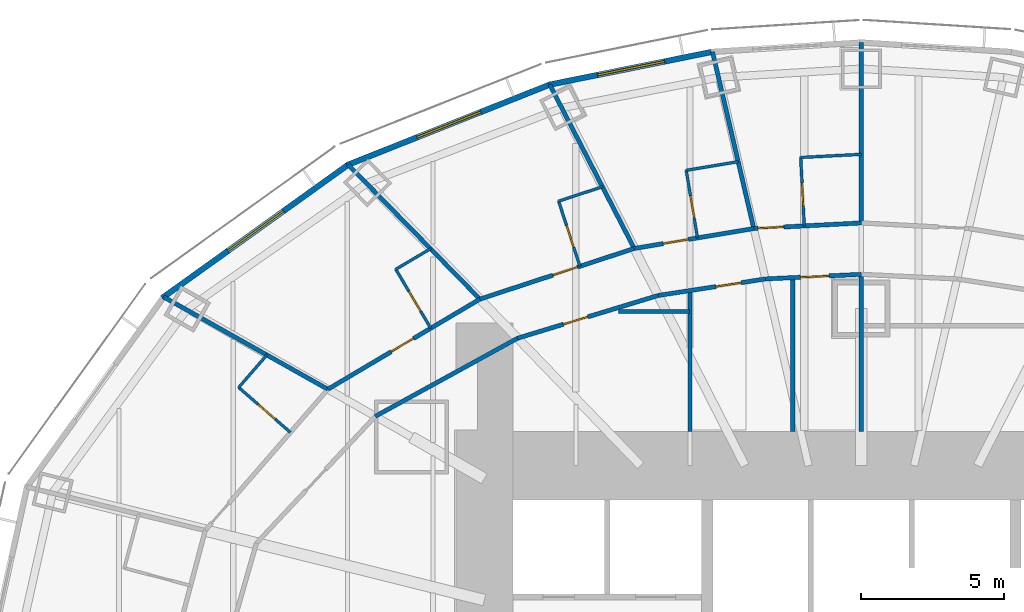
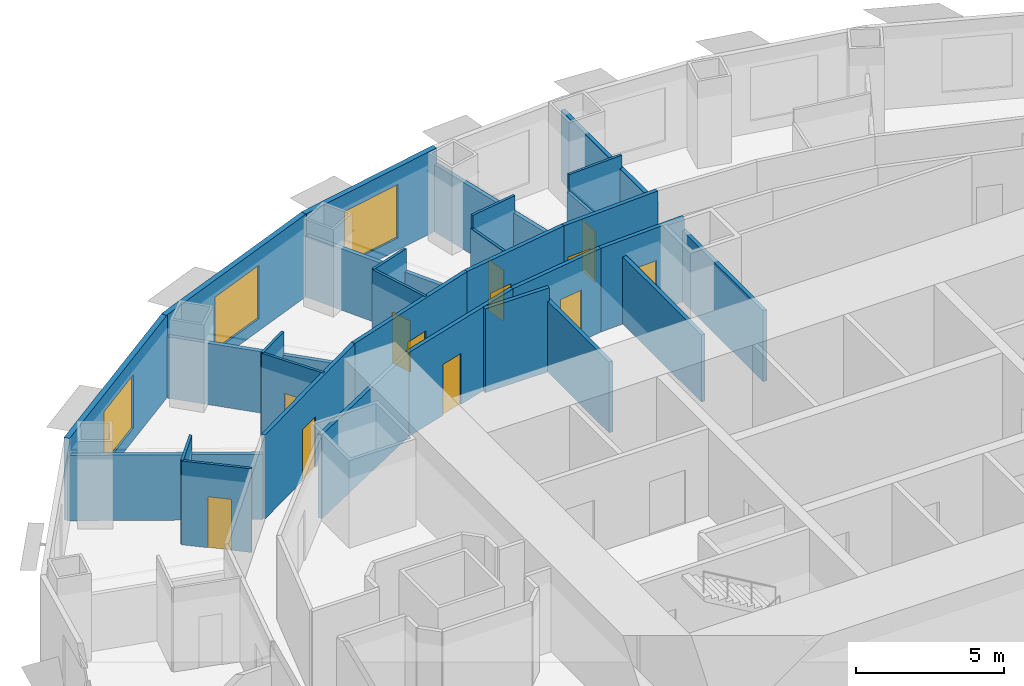
# One storey, part 9 of 15: 30 walls, 12 doors, 3 windows, 15 openings.
"""IFC4 building model written with IfcOpenShell, lengths in metres."""

from ifc_helpers import new_model, si_unit, direction, frame, frame_2d, origin, place, context, subcontext, project, spatial, rectangle, extrude, material, layer, layer_set, type_object, element, fill, save


model = new_model("IFC4")

# Units and contexts
model_context = context("Model", 3, precision=1e-05, world=origin(), true_north=direction((0.0, 1.0)))
body_context = subcontext(model_context, "Body", "Model", "MODEL_VIEW")
ifc_project = project(units=[si_unit("LENGTHUNIT", "METRE"), si_unit("AREAUNIT", "SQUARE_METRE"), si_unit("VOLUMEUNIT", "CUBIC_METRE"), si_unit("PLANEANGLEUNIT", "RADIAN"), si_unit("MASSUNIT", "GRAM", prefix="KILO")], contexts=[model_context])

# Site, building, storey
site_placement = place(None, origin())
site = spatial("IfcSite", under=ifc_project, at=site_placement, CompositionType="ELEMENT")
building_placement = place(site_placement, origin())
building = spatial("IfcBuilding", under=site, at=building_placement, Name="Lantaw Convention Tower", CompositionType="ELEMENT")
storey_placement = place(building_placement, frame((0.0, 0.0, 65.800048828125)))
storey = spatial("IfcBuildingStorey", under=building, at=storey_placement, Name="L14", CompositionType="ELEMENT", Elevation=65.800048828125)

# Walls
ifc_material_1 = material(Name="Gypsum board on steel studs", Category="steel")
ifc_layer_1 = layer(ifc_material_1, 0.14990234375)
ifc_layer_set_1 = layer_set([ifc_layer_1], Name="Back of house wall 150")
wall_type_1 = type_object("IfcWallType", Name="Back of house wall 150", PredefinedType="PARTITIONING", material=ifc_layer_set_1)
wall_1_placement = place(storey_placement, frame((0.0, 9.199951171875, 0.0), z_axis=(0.0, 0.0, 1.0), x_axis=(0.0, 1.0, 0.0)))
element("IfcWall", 1, at=wall_1_placement, inside=storey, type_object=wall_type_1, Name="Back of house wall 150", PredefinedType="PARTITIONING", context=body_context, shape_type="SweptSolid", body=[
    extrude(rectangle(XDim=5.5, YDim=0.14990234375, at=frame_2d((2.75, 0.0))), origin(), (0.0, 0.0, 1.0), 2.924072265625),
])
wall_2_placement = place(storey_placement, frame((-6.010009765625, 13.39990234375, 0.0), z_axis=(0.0, 0.0, 1.0), x_axis=(-1.0, 0.0, 0.0)))
element("IfcWall", 2, at=wall_2_placement, inside=storey, type_object=wall_type_1, Name="Back of house wall 150", PredefinedType="PARTITIONING", context=body_context, shape_type="SweptSolid", body=[
    extrude(rectangle(XDim=2.49755859375, YDim=0.14990234375, at=frame_2d((1.248779296875, 0.0))), origin(), (0.0, 0.0, 1.0), 3.449951171875),
])

# Wall, opening, door
ifc_material_2 = material(Name="Moisture resistant gypsum board on steel studs", Category="steel")
ifc_layer_2 = layer(ifc_material_2, 0.10009765625)
ifc_layer_set_2 = layer_set([ifc_layer_2], Name="Bathroom wall 100")
wall_type_2 = type_object("IfcWallType", Name="Bathroom wall 100", PredefinedType="PARTITIONING", material=ifc_layer_set_2)
wall_3_placement = place(storey_placement, frame((-1.997314453125, 16.39599609375, 0.0), z_axis=(0.0, 0.0, 1.0), x_axis=(-0.051982187452, 0.998648012158, 0.0)))
wall_3 = element("IfcWall", 3, at=wall_3_placement, inside=storey, type_object=wall_type_2, Name="Bathroom wall 100", PredefinedType="PARTITIONING", context=body_context, shape_type="SweptSolid", body=[
    extrude(rectangle(XDim=2.39990234375, YDim=0.10009765625, at=frame_2d((1.199951171875, 0.0))), origin(), (0.0, 0.0, 1.0), 2.7490234375),
])
opening_1_placement = place(wall_3_placement, frame((0.699951171875, 0.0, 0.0)))
opening_1 = element("IfcOpeningElement", 4, at=opening_1_placement, cuts=wall_3, Name="Opening L14.32", PredefinedType="OPENING", context=body_context, shape_type="SweptSolid", body=[
    extrude(rectangle(XDim=0.800048828125, YDim=2.10009765625, at=frame_2d((0.39990234375, 1.050048828125))), frame((0.0, 0.06005859375, 0.0), z_axis=(0.0, -1.0, 0.0), x_axis=(1.0, 0.0, 0.0)), (0.0, 0.0, 1.0), 0.1201171875),
])
ifc_material_3 = material(Name="Timber", Category="wood")
door_type_1 = type_object("IfcDoorType", Name="Bathroom door 800", OperationType="SINGLE_SWING_LEFT", PredefinedType="DOOR", material=ifc_material_3)
door_1_placement = place(opening_1_placement, origin())
door_1 = element("IfcDoor", 5, at=door_1_placement, inside=storey, type_object=door_type_1, Name="Bathroom door", OperationType="SINGLE_SWING_LEFT", OverallHeight=2.10009765625, OverallWidth=0.800048828125, PredefinedType="DOOR", context=body_context, shape_type="SweptSolid", body=[
    extrude(rectangle(XDim=0.800048828125, YDim=2.10009765625, at=frame_2d((0.39990234375, 1.050048828125))), frame((0.0, 0.02490234375, 0.0), z_axis=(0.0, -1.0, 0.0), x_axis=(1.0, 0.0, 0.0)), (0.0, 0.0, 1.0), 0.050048828125),
])
fill(opening_1, door_1)

# Wall
wall_4_placement = place(storey_placement, frame((-2.1220703125, 18.792724609375, 0.0), z_axis=(0.0, 0.0, 1.0), x_axis=(0.998644675281, 0.052046253785, 0.0)))
element("IfcWall", 6, at=wall_4_placement, inside=storey, type_object=wall_type_2, Name="Bathroom wall 100", PredefinedType="PARTITIONING", context=body_context, shape_type="SweptSolid", body=[
    extrude(rectangle(XDim=2.125, YDim=0.10009765625, at=frame_2d((1.0625, 0.0))), origin(), (0.0, 0.0, 1.0), 3.449951171875),
])

# Wall, opening, door
wall_5_placement = place(storey_placement, frame((-5.73681640625, 15.9755859375, 0.0), z_axis=(0.0, 0.0, 1.0), x_axis=(-0.164283516215, 0.986413162067, 0.0)))
wall_5 = element("IfcWall", 7, at=wall_5_placement, inside=storey, type_object=wall_type_2, Name="Bathroom wall 100", PredefinedType="PARTITIONING", context=body_context, shape_type="SweptSolid", body=[
    extrude(rectangle(XDim=2.400146484375, YDim=0.10009765625, at=frame_2d((1.2001953125, 0.0))), origin(), (0.0, 0.0, 1.0), 2.9140625),
])
opening_2_placement = place(wall_5_placement, frame((0.699951171875, 0.0, 0.0)))
opening_2 = element("IfcOpeningElement", 8, at=opening_2_placement, cuts=wall_5, Name="Opening L14.34", PredefinedType="OPENING", context=body_context, shape_type="SweptSolid", body=[
    extrude(rectangle(XDim=0.800048828125, YDim=2.10009765625, at=frame_2d((0.39990234375, 1.050048828125))), frame((0.0, 0.06005859375, 0.0), z_axis=(0.0, -1.0, 0.0), x_axis=(1.0, 0.0, 0.0)), (0.0, 0.0, 1.0), 0.1201171875),
])
door_2_placement = place(opening_2_placement, origin())
door_2 = element("IfcDoor", 9, at=door_2_placement, inside=storey, type_object=door_type_1, Name="Bathroom door", OperationType="SINGLE_SWING_LEFT", OverallHeight=2.10009765625, OverallWidth=0.800048828125, PredefinedType="DOOR", context=body_context, shape_type="SweptSolid", body=[
    extrude(rectangle(XDim=0.800048828125, YDim=2.10009765625, at=frame_2d((0.39990234375, 1.050048828125))), frame((0.0, 0.02490234375, 0.0), z_axis=(0.0, -1.0, 0.0), x_axis=(1.0, 0.0, 0.0)), (0.0, 0.0, 1.0), 0.050048828125),
])
fill(opening_2, door_2)

# Wall
wall_6_placement = place(storey_placement, frame((-6.131103515625, 18.343017578125, 0.0), z_axis=(0.0, 0.0, 1.0), x_axis=(0.986429542706, 0.164185131106, 0.0)))
element("IfcWall", 10, at=wall_6_placement, inside=storey, type_object=wall_type_2, Name="Bathroom wall 100", PredefinedType="PARTITIONING", context=body_context, shape_type="SweptSolid", body=[
    extrude(rectangle(XDim=1.851318359375, YDim=0.10009765625, at=frame_2d((0.92578125, 0.0))), origin(), (0.0, 0.0, 1.0), 3.449951171875),
])

# Wall, opening, door
wall_7_placement = place(storey_placement, frame((-9.852294921875, 14.98291015625, 0.0), z_axis=(0.0, 0.0, 1.0), x_axis=(-0.311890952591, 0.950117905153, 0.0)))
wall_7 = element("IfcWall", 11, at=wall_7_placement, inside=storey, type_object=wall_type_2, Name="Bathroom wall 100", PredefinedType="PARTITIONING", context=body_context, shape_type="SweptSolid", body=[
    extrude(rectangle(XDim=2.39990234375, YDim=0.10009765625, at=frame_2d((1.199951171875, 0.0))), origin(), (0.0, 0.0, 1.0), 3.449951171875),
])
opening_3_placement = place(wall_7_placement, frame((0.699951171875, 0.0, 0.0)))
opening_3 = element("IfcOpeningElement", 12, at=opening_3_placement, cuts=wall_7, Name="Opening L14.36", PredefinedType="OPENING", context=body_context, shape_type="SweptSolid", body=[
    extrude(rectangle(XDim=0.800048828125, YDim=2.10009765625, at=frame_2d((0.39990234375, 1.050048828125))), frame((0.0, 0.06005859375, 0.0), z_axis=(0.0, -1.0, 0.0), x_axis=(1.0, 0.0, 0.0)), (0.0, 0.0, 1.0), 0.1201171875),
])
door_3_placement = place(opening_3_placement, origin())
door_3 = element("IfcDoor", 13, at=door_3_placement, inside=storey, type_object=door_type_1, Name="Bathroom door", OperationType="SINGLE_SWING_LEFT", OverallHeight=2.10009765625, OverallWidth=0.800048828125, PredefinedType="DOOR", context=body_context, shape_type="SweptSolid", body=[
    extrude(rectangle(XDim=0.800048828125, YDim=2.10009765625, at=frame_2d((0.39990234375, 1.050048828125))), frame((0.0, 0.02490234375, 0.0), z_axis=(0.0, -1.0, 0.0), x_axis=(1.0, 0.0, 0.0)), (0.0, 0.0, 1.0), 0.050048828125),
])
fill(opening_3, door_3)

# Wall
wall_8_placement = place(storey_placement, frame((-10.600830078125, 17.26318359375, 0.0), z_axis=(0.0, 0.0, 1.0), x_axis=(0.950113706819, 0.311903741746, 0.0)))
element("IfcWall", 14, at=wall_8_placement, inside=storey, type_object=wall_type_2, Name="Bathroom wall 100", PredefinedType="PARTITIONING", context=body_context, shape_type="SweptSolid", body=[
    extrude(rectangle(XDim=1.62744140625, YDim=0.10009765625, at=frame_2d((0.813720703125, 0.0))), origin(), (0.0, 0.0, 1.0), 3.449951171875),
])

# Wall, opening, door
wall_9_placement = place(storey_placement, frame((-15.07763671875, 12.81201171875, 0.0), z_axis=(0.0, 0.0, 1.0), x_axis=(-0.510075642074, 0.860129548012, 0.0)))
wall_9 = element("IfcWall", 15, at=wall_9_placement, inside=storey, type_object=wall_type_2, Name="Bathroom wall 100", PredefinedType="PARTITIONING", context=body_context, shape_type="SweptSolid", body=[
    extrude(rectangle(XDim=2.39990234375, YDim=0.10009765625, at=frame_2d((1.199951171875, 0.0))), origin(), (0.0, 0.0, 1.0), 3.449951171875),
])
opening_4_placement = place(wall_9_placement, frame((0.699951171875, 0.0, 0.0)))
opening_4 = element("IfcOpeningElement", 16, at=opening_4_placement, cuts=wall_9, Name="Opening L14.38", PredefinedType="OPENING", context=body_context, shape_type="SweptSolid", body=[
    extrude(rectangle(XDim=0.800048828125, YDim=2.10009765625, at=frame_2d((0.39990234375, 1.050048828125))), frame((0.0, 0.06005859375, 0.0), z_axis=(0.0, -1.0, 0.0), x_axis=(1.0, 0.0, 0.0)), (0.0, 0.0, 1.0), 0.1201171875),
])
door_4_placement = place(opening_4_placement, origin())
door_4 = element("IfcDoor", 17, at=door_4_placement, inside=storey, type_object=door_type_1, Name="Bathroom door", OperationType="SINGLE_SWING_LEFT", OverallHeight=2.10009765625, OverallWidth=0.800048828125, PredefinedType="DOOR", context=body_context, shape_type="SweptSolid", body=[
    extrude(rectangle(XDim=0.800048828125, YDim=2.10009765625, at=frame_2d((0.39990234375, 1.050048828125))), frame((0.0, 0.02490234375, 0.0), z_axis=(0.0, -1.0, 0.0), x_axis=(1.0, 0.0, 0.0)), (0.0, 0.0, 1.0), 0.050048828125),
])
fill(opening_4, door_4)

# Wall
wall_10_placement = place(storey_placement, frame((-16.3017578125, 14.876220703125, 0.0), z_axis=(0.0, 0.0, 1.0), x_axis=(0.8601307696, 0.510073582131, 0.0)))
element("IfcWall", 18, at=wall_10_placement, inside=storey, type_object=wall_type_2, Name="Bathroom wall 100", PredefinedType="PARTITIONING", context=body_context, shape_type="SweptSolid", body=[
    extrude(rectangle(XDim=1.43115234375, YDim=0.10009765625, at=frame_2d((0.715576171875, 0.0))), origin(), (0.0, 0.0, 1.0), 3.449951171875),
])

# Wall, opening, door
wall_11_placement = place(storey_placement, frame((-19.99267578125, 9.164794921875, 0.0), z_axis=(0.0, 0.0, 1.0), x_axis=(-0.755098052661, 0.655611875172, 0.0)))
wall_11 = element("IfcWall", 19, at=wall_11_placement, inside=storey, type_object=wall_type_2, Name="Bathroom wall 100", PredefinedType="PARTITIONING", context=body_context, shape_type="SweptSolid", body=[
    extrude(rectangle(XDim=2.400146484375, YDim=0.10009765625, at=frame_2d((1.2001953125, 0.0))), origin(), (0.0, 0.0, 1.0), 3.449951171875),
])
opening_5_placement = place(wall_11_placement, frame((0.699951171875, 0.0, 0.0)))
opening_5 = element("IfcOpeningElement", 20, at=opening_5_placement, cuts=wall_11, Name="Opening L14.40", PredefinedType="OPENING", context=body_context, shape_type="SweptSolid", body=[
    extrude(rectangle(XDim=0.800048828125, YDim=2.10009765625, at=frame_2d((0.39990234375, 1.050048828125))), frame((0.0, 0.06005859375, 0.0), z_axis=(0.0, -1.0, 0.0), x_axis=(1.0, 0.0, 0.0)), (0.0, 0.0, 1.0), 0.1201171875),
])
door_5_placement = place(opening_5_placement, origin())
door_5 = element("IfcDoor", 21, at=door_5_placement, inside=storey, type_object=door_type_1, Name="Bathroom door", OperationType="SINGLE_SWING_LEFT", OverallHeight=2.10009765625, OverallWidth=0.800048828125, PredefinedType="DOOR", context=body_context, shape_type="SweptSolid", body=[
    extrude(rectangle(XDim=0.800048828125, YDim=2.10009765625, at=frame_2d((0.39990234375, 1.050048828125))), frame((0.0, 0.02490234375, 0.0), z_axis=(0.0, -1.0, 0.0), x_axis=(1.0, 0.0, 0.0)), (0.0, 0.0, 1.0), 0.050048828125),
])
fill(opening_5, door_5)

# Wall
wall_12_placement = place(storey_placement, frame((-21.804931640625, 10.73828125, 0.0), z_axis=(0.0, 0.0, 1.0), x_axis=(0.655528024617, 0.755170847518, 0.0)))
element("IfcWall", 22, at=wall_12_placement, inside=storey, type_object=wall_type_2, Name="Bathroom wall 100", PredefinedType="PARTITIONING", context=body_context, shape_type="SweptSolid", body=[
    extrude(rectangle(XDim=1.52392578125, YDim=0.10009765625, at=frame_2d((0.761962890625, 0.0))), origin(), (0.0, 0.0, 1.0), 3.449951171875),
])

# Wall, opening, door
ifc_material_4 = material(Name="Gypsum board on steel studs, fire rated", Category="steel")
ifc_layer_3 = layer(ifc_material_4, 0.14990234375)
ifc_layer_set_3 = layer_set([ifc_layer_3], Name="Corridor wall 150 EI 60")
wall_type_3 = type_object("IfcWallType", Name="Corridor wall 150 EI 60", PredefinedType="PARTITIONING", material=ifc_layer_set_3)
wall_13_placement = place(storey_placement, frame((0.0, 16.5, 0.0), z_axis=(0.0, 0.0, 1.0), x_axis=(-0.998649848759, -0.05194689186, 0.0)))
wall_13 = element("IfcWall", 23, at=wall_13_placement, inside=storey, type_object=wall_type_3, Name="Corridor wall 150", PredefinedType="PARTITIONING", context=body_context, shape_type="SweptSolid", body=[
    extrude(rectangle(XDim=3.769287109375, YDim=0.14990234375, at=frame_2d((1.884765625, 0.0))), origin(), (0.0, 0.0, 1.0), 3.449951171875),
])
opening_6_placement = place(wall_13_placement, frame((2.71923828125, 0.0, 0.0)))
opening_6 = element("IfcOpeningElement", 24, at=opening_6_placement, cuts=wall_13, Name="Opening L14.33", PredefinedType="OPENING", context=body_context, shape_type="SweptSolid", body=[
    extrude(rectangle(XDim=0.89990234375, YDim=2.10009765625, at=frame_2d((0.449951171875, 1.050048828125))), frame((0.0, 0.0849609375, 0.0), z_axis=(0.0, -1.0, 0.0), x_axis=(1.0, 0.0, 0.0)), (0.0, 0.0, 1.0), 0.169921875),
])
ifc_material_5 = material(Name="Steel, fire rated", Category="steel")
door_type_2 = type_object("IfcDoorType", Name="Guest room entrance door FD30S", OperationType="SINGLE_SWING_LEFT", PredefinedType="DOOR", material=ifc_material_5)
door_6_placement = place(opening_6_placement, origin())
door_6 = element("IfcDoor", 25, at=door_6_placement, inside=storey, type_object=door_type_2, Name="Guest room entrance door", OperationType="SINGLE_SWING_LEFT", OverallHeight=2.10009765625, OverallWidth=0.89990234375, PredefinedType="DOOR", context=body_context, shape_type="SweptSolid", body=[
    extrude(rectangle(XDim=0.89990234375, YDim=2.10009765625, at=frame_2d((0.449951171875, 1.050048828125))), frame((0.0, 0.02490234375, 0.0), z_axis=(0.0, -1.0, 0.0), x_axis=(1.0, 0.0, 0.0)), (0.0, 0.0, 1.0), 0.050048828125),
])
fill(opening_6, door_6)

wall_14_placement = place(storey_placement, frame((-3.76416015625, 16.30419921875, 0.0), z_axis=(0.0, 0.0, 1.0), x_axis=(-0.98641101506, -0.164296407044, 0.0)))
wall_14 = element("IfcWall", 26, at=wall_14_placement, inside=storey, type_object=wall_type_3, Name="Corridor wall 150", PredefinedType="PARTITIONING", context=body_context, shape_type="SweptSolid", body=[
    extrude(rectangle(XDim=4.245361328125, YDim=0.14990234375, at=frame_2d((2.12255859375, 0.0))), origin(), (0.0, 0.0, 1.0), 3.449951171875),
])
opening_7_placement = place(wall_14_placement, frame((2.319091796875, 0.0, 0.0)))
opening_7 = element("IfcOpeningElement", 27, at=opening_7_placement, cuts=wall_14, Name="Opening L14.35", PredefinedType="OPENING", context=body_context, shape_type="SweptSolid", body=[
    extrude(rectangle(XDim=0.89990234375, YDim=2.10009765625, at=frame_2d((0.449951171875, 1.050048828125))), frame((0.0, 0.0849609375, 0.0), z_axis=(0.0, -1.0, 0.0), x_axis=(1.0, 0.0, 0.0)), (0.0, 0.0, 1.0), 0.169921875),
])
door_7_placement = place(opening_7_placement, origin())
door_7 = element("IfcDoor", 28, at=door_7_placement, inside=storey, type_object=door_type_2, Name="Guest room entrance door", OperationType="SINGLE_SWING_LEFT", OverallHeight=2.10009765625, OverallWidth=0.89990234375, PredefinedType="DOOR", context=body_context, shape_type="SweptSolid", body=[
    extrude(rectangle(XDim=0.89990234375, YDim=2.10009765625, at=frame_2d((0.449951171875, 1.050048828125))), frame((0.0, 0.02490234375, 0.0), z_axis=(0.0, -1.0, 0.0), x_axis=(1.0, 0.0, 0.0)), (0.0, 0.0, 1.0), 0.050048828125),
])
fill(opening_7, door_7)

wall_15_placement = place(storey_placement, frame((-7.951904296875, 15.606689453125, 0.0), z_axis=(0.0, 0.0, 1.0), x_axis=(-0.950106803111, -0.311924770869, 0.0)))
wall_15 = element("IfcWall", 29, at=wall_15_placement, inside=storey, type_object=wall_type_3, Name="Corridor wall 150", PredefinedType="PARTITIONING", context=body_context, shape_type="SweptSolid", body=[
    extrude(rectangle(XDim=5.689453125, YDim=0.14990234375, at=frame_2d((2.8447265625, 0.0))), origin(), (0.0, 0.0, 1.0), 3.449951171875),
])
opening_8_placement = place(wall_15_placement, frame((2.10009765625, 0.0, 0.0)))
opening_8 = element("IfcOpeningElement", 30, at=opening_8_placement, cuts=wall_15, Name="Opening L14.37", PredefinedType="OPENING", context=body_context, shape_type="SweptSolid", body=[
    extrude(rectangle(XDim=0.89990234375, YDim=2.10009765625, at=frame_2d((0.449951171875, 1.050048828125))), frame((0.0, 0.0849609375, 0.0), z_axis=(0.0, -1.0, 0.0), x_axis=(1.0, 0.0, 0.0)), (0.0, 0.0, 1.0), 0.169921875),
])
door_8_placement = place(opening_8_placement, origin())
door_8 = element("IfcDoor", 31, at=door_8_placement, inside=storey, type_object=door_type_2, Name="Guest room entrance door", OperationType="SINGLE_SWING_LEFT", OverallHeight=2.10009765625, OverallWidth=0.89990234375, PredefinedType="DOOR", context=body_context, shape_type="SweptSolid", body=[
    extrude(rectangle(XDim=0.89990234375, YDim=2.10009765625, at=frame_2d((0.449951171875, 1.050048828125))), frame((0.0, 0.02490234375, 0.0), z_axis=(0.0, -1.0, 0.0), x_axis=(1.0, 0.0, 0.0)), (0.0, 0.0, 1.0), 0.050048828125),
])
fill(opening_8, door_8)

wall_16_placement = place(storey_placement, frame((-13.357421875, 13.83203125, 0.0), z_axis=(0.0, 0.0, 1.0), x_axis=(-0.860147339762, -0.510045639036, 0.0)))
wall_16 = element("IfcWall", 32, at=wall_16_placement, inside=storey, type_object=wall_type_3, Name="Corridor wall 150", PredefinedType="PARTITIONING", context=body_context, shape_type="SweptSolid", body=[
    extrude(rectangle(XDim=6.189697265625, YDim=0.14990234375, at=frame_2d((3.0947265625, 0.0))), origin(), (0.0, 0.0, 1.0), 3.449951171875),
])
opening_9_placement = place(wall_16_placement, frame((2.7080078125, 0.0, 0.0)))
opening_9 = element("IfcOpeningElement", 33, at=opening_9_placement, cuts=wall_16, Name="Opening L14.39", PredefinedType="OPENING", context=body_context, shape_type="SweptSolid", body=[
    extrude(rectangle(XDim=0.89990234375, YDim=2.10009765625, at=frame_2d((0.449951171875, 1.050048828125))), frame((0.0, 0.0849609375, 0.0), z_axis=(0.0, -1.0, 0.0), x_axis=(1.0, 0.0, 0.0)), (0.0, 0.0, 1.0), 0.169921875),
])
door_9_placement = place(opening_9_placement, origin())
door_9 = element("IfcDoor", 34, at=door_9_placement, inside=storey, type_object=door_type_2, Name="Guest room entrance door", OperationType="SINGLE_SWING_LEFT", OverallHeight=2.10009765625, OverallWidth=0.89990234375, PredefinedType="DOOR", context=body_context, shape_type="SweptSolid", body=[
    extrude(rectangle(XDim=0.89990234375, YDim=2.10009765625, at=frame_2d((0.449951171875, 1.050048828125))), frame((0.0, 0.02490234375, 0.0), z_axis=(0.0, -1.0, 0.0), x_axis=(1.0, 0.0, 0.0)), (0.0, 0.0, 1.0), 0.050048828125),
])
fill(opening_9, door_9)

wall_17_placement = place(storey_placement, frame((0.0, 14.699951171875, 0.0), z_axis=(0.0, 0.0, 1.0), x_axis=(-0.998842682549, -0.048096730859, 0.0)))
wall_17 = element("IfcWall", 35, at=wall_17_placement, inside=storey, type_object=wall_type_3, Name="Corridor wall 150", PredefinedType="PARTITIONING", context=body_context, shape_type="SweptSolid", body=[
    extrude(rectangle(XDim=3.3603515625, YDim=0.14990234375, at=frame_2d((1.68017578125, 0.0))), origin(), (0.0, 0.0, 1.0), 3.449951171875),
])
opening_10_placement = place(wall_17_placement, frame((1.125244140625, 0.0, 0.0)))
opening_10 = element("IfcOpeningElement", 36, at=opening_10_placement, cuts=wall_17, Name="Opening L14.18", PredefinedType="OPENING", context=body_context, shape_type="SweptSolid", body=[
    extrude(rectangle(XDim=1.0, YDim=2.10009765625, at=frame_2d((0.5, 1.050048828125))), frame((0.0, 0.0849609375, 0.0), z_axis=(0.0, -1.0, 0.0), x_axis=(1.0, 0.0, 0.0)), (0.0, 0.0, 1.0), 0.169921875),
])
door_type_3 = type_object("IfcDoorType", Name="Accessible WC door 1000 FD30", OperationType="SINGLE_SWING_LEFT", PredefinedType="DOOR", material=ifc_material_5)
door_10_placement = place(opening_10_placement, origin())
door_10 = element("IfcDoor", 37, at=door_10_placement, inside=storey, type_object=door_type_3, Name="Accessible WC door", OperationType="SINGLE_SWING_LEFT", OverallHeight=2.10009765625, OverallWidth=1.0, PredefinedType="DOOR", context=body_context, shape_type="SweptSolid", body=[
    extrude(rectangle(XDim=1.0, YDim=2.10009765625, at=frame_2d((0.5, 1.050048828125))), frame((0.0, 0.02490234375, 0.0), z_axis=(0.0, -1.0, 0.0), x_axis=(1.0, 0.0, 0.0)), (0.0, 0.0, 1.0), 0.050048828125),
])
fill(opening_10, door_10)

wall_18_placement = place(storey_placement, frame((-3.3564453125, 14.538330078125, 0.0), z_axis=(0.0, 0.0, 1.0), x_axis=(-0.988343461108, -0.152240608529, 0.0)))
wall_18 = element("IfcWall", 38, at=wall_18_placement, inside=storey, type_object=wall_type_3, Name="Corridor wall 150", PredefinedType="PARTITIONING", context=body_context, shape_type="SweptSolid", body=[
    extrude(rectangle(XDim=3.800537109375, YDim=0.14990234375, at=frame_2d((1.900390625, 0.0))), origin(), (0.0, 0.0, 1.0), 3.449951171875),
])
opening_11_placement = place(wall_18_placement, frame((0.852294921875, 0.0, 0.0)))
opening_11 = element("IfcOpeningElement", 39, at=opening_11_placement, cuts=wall_18, Name="Opening L14.19", PredefinedType="OPENING", context=body_context, shape_type="SweptSolid", body=[
    extrude(rectangle(XDim=0.89990234375, YDim=2.10009765625, at=frame_2d((0.449951171875, 1.050048828125))), frame((0.0, 0.0849609375, 0.0), z_axis=(0.0, -1.0, 0.0), x_axis=(1.0, 0.0, 0.0)), (0.0, 0.0, 1.0), 0.169921875),
])
door_type_4 = type_object("IfcDoorType", Name="Service door 900 FD30", OperationType="SINGLE_SWING_LEFT", PredefinedType="DOOR", material=ifc_material_5)
door_11_placement = place(opening_11_placement, origin())
door_11 = element("IfcDoor", 40, at=door_11_placement, inside=storey, type_object=door_type_4, Name="Housekeeping pantry door", OperationType="SINGLE_SWING_LEFT", OverallHeight=2.10009765625, OverallWidth=0.89990234375, PredefinedType="DOOR", context=body_context, shape_type="SweptSolid", body=[
    extrude(rectangle(XDim=0.89990234375, YDim=2.10009765625, at=frame_2d((0.449951171875, 1.050048828125))), frame((0.0, 0.02490234375, 0.0), z_axis=(0.0, -1.0, 0.0), x_axis=(1.0, 0.0, 0.0)), (0.0, 0.0, 1.0), 0.050048828125),
])
fill(opening_11, door_11)

wall_19_placement = place(storey_placement, frame((-7.11279296875, 13.959716796875, 0.0), z_axis=(0.0, 0.0, 1.0), x_axis=(-0.956795045135, -0.290763205385, 0.0)))
wall_19 = element("IfcWall", 41, at=wall_19_placement, inside=storey, type_object=wall_type_3, Name="Corridor wall 150", PredefinedType="PARTITIONING", context=body_context, shape_type="SweptSolid", body=[
    extrude(rectangle(XDim=5.1455078125, YDim=0.14990234375, at=frame_2d((2.57275390625, 0.0))), origin(), (0.0, 0.0, 1.0), 3.449951171875),
])
opening_12_placement = place(wall_19_placement, frame((2.5693359375, 0.0, 0.0)))
opening_12 = element("IfcOpeningElement", 42, at=opening_12_placement, cuts=wall_19, Name="Opening L14.20", PredefinedType="OPENING", context=body_context, shape_type="SweptSolid", body=[
    extrude(rectangle(XDim=0.89990234375, YDim=2.10009765625, at=frame_2d((0.449951171875, 1.050048828125))), frame((0.0, 0.0849609375, 0.0), z_axis=(0.0, -1.0, 0.0), x_axis=(1.0, 0.0, 0.0)), (0.0, 0.0, 1.0), 0.169921875),
])
door_12_placement = place(opening_12_placement, origin())
door_12 = element("IfcDoor", 43, at=door_12_placement, inside=storey, type_object=door_type_4, Name="Housekeeping store door", OperationType="SINGLE_SWING_LEFT", OverallHeight=2.10009765625, OverallWidth=0.89990234375, PredefinedType="DOOR", context=body_context, shape_type="SweptSolid", body=[
    extrude(rectangle(XDim=0.89990234375, YDim=2.10009765625, at=frame_2d((0.449951171875, 1.050048828125))), frame((0.0, 0.02490234375, 0.0), z_axis=(0.0, -1.0, 0.0), x_axis=(1.0, 0.0, 0.0)), (0.0, 0.0, 1.0), 0.050048828125),
])
fill(opening_12, door_12)

# Wall
wall_20_placement = place(storey_placement, frame((-12.035888671875, 12.463623046875, 0.0), z_axis=(0.0, 0.0, 1.0), x_axis=(-0.876522084062, -0.481361647986, 0.0)))
element("IfcWall", 44, at=wall_20_placement, inside=storey, type_object=wall_type_3, Name="Corridor wall 150", PredefinedType="PARTITIONING", context=body_context, shape_type="SweptSolid", body=[
    extrude(rectangle(XDim=5.68701171875, YDim=0.14990234375, at=frame_2d((2.843505859375, 0.0))), origin(), (0.0, 0.0, 1.0), 3.449951171875),
])

# Wall, opening, window
ifc_material_6 = material(Name="Insulated aluminium panel on steel frame", Category="steel")
ifc_layer_4 = layer(ifc_material_6, 0.199951171875)
ifc_layer_set_4 = layer_set([ifc_layer_4], Name="External wall 200")
wall_type_4 = type_object("IfcWallType", Name="External wall 200", PredefinedType="SOLIDWALL", material=ifc_layer_set_4)
wall_21_placement = place(storey_placement, frame((-5.169677734375, 22.504150390625, 0.0), z_axis=(0.0, 0.0, 1.0), x_axis=(-0.980251657452, -0.197754110105, 0.0)))
wall_21 = element("IfcWall", 45, at=wall_21_placement, inside=storey, type_object=wall_type_4, Name="Facade panel wall", PredefinedType="SOLIDWALL", context=body_context, shape_type="SweptSolid", body=[
    extrude(rectangle(XDim=5.90380859375, YDim=0.199951171875, at=frame_2d((2.951904296875, 0.0))), origin(), (0.0, 0.0, 1.0), 3.39990234375),
])
opening_13_placement = place(wall_21_placement, frame((1.751708984375, 0.0, 0.5)))
opening_13 = element("IfcOpeningElement", 46, at=opening_13_placement, cuts=wall_21, Name="Opening W1", PredefinedType="OPENING", context=body_context, shape_type="SweptSolid", body=[
    extrude(rectangle(XDim=2.39990234375, YDim=2.199951171875, at=frame_2d((1.199951171875, 1.10009765625))), frame((0.0, 0.10986328125, 0.0), z_axis=(0.0, -1.0, 0.0), x_axis=(1.0, 0.0, 0.0)), (0.0, 0.0, 1.0), 0.219970703125),
])
ifc_material_7 = material(Name="Aluminium frame, clear insulating glass", Category="aluminium")
window_type = type_object("IfcWindowType", Name="Guest room window 2400x2200", PartitioningType="SINGLE_PANEL", PredefinedType="WINDOW", material=ifc_material_7)
window_1_placement = place(opening_13_placement, origin())
window_1 = element("IfcWindow", 47, at=window_1_placement, inside=storey, type_object=window_type, Name="Guest room window", OverallHeight=2.199951171875, OverallWidth=2.39990234375, PartitioningType="SINGLE_PANEL", PredefinedType="WINDOW", context=body_context, shape_type="SweptSolid", body=[
    extrude(rectangle(XDim=2.39990234375, YDim=2.199951171875, at=frame_2d((1.199951171875, 1.10009765625))), frame((0.0, 0.030029296875, 0.0), z_axis=(0.0, -1.0, 0.0), x_axis=(1.0, 0.0, 0.0)), (0.0, 0.0, 1.0), 0.06005859375),
])
fill(opening_13, window_1)

wall_22_placement = place(storey_placement, frame((-10.869384765625, 21.362548828125, 0.0), z_axis=(0.0, 0.0, 1.0), x_axis=(-0.929358351251, -0.369178892895, 0.0)))
wall_22 = element("IfcWall", 48, at=wall_22_placement, inside=storey, type_object=wall_type_4, Name="Facade panel wall", PredefinedType="SOLIDWALL", context=body_context, shape_type="SweptSolid", body=[
    extrude(rectangle(XDim=7.6923828125, YDim=0.199951171875, at=frame_2d((3.84619140625, 0.0))), origin(), (0.0, 0.0, 1.0), 3.39990234375),
])
opening_14_placement = place(wall_22_placement, frame((2.64599609375, 0.0, 0.5)))
opening_14 = element("IfcOpeningElement", 49, at=opening_14_placement, cuts=wall_22, Name="Opening W1", PredefinedType="OPENING", context=body_context, shape_type="SweptSolid", body=[
    extrude(rectangle(XDim=2.39990234375, YDim=2.199951171875, at=frame_2d((1.199951171875, 1.10009765625))), frame((0.0, 0.10986328125, 0.0), z_axis=(0.0, -1.0, 0.0), x_axis=(1.0, 0.0, 0.0)), (0.0, 0.0, 1.0), 0.219970703125),
])
window_2_placement = place(opening_14_placement, origin())
window_2 = element("IfcWindow", 50, at=window_2_placement, inside=storey, type_object=window_type, Name="Guest room window", OverallHeight=2.199951171875, OverallWidth=2.39990234375, PartitioningType="SINGLE_PANEL", PredefinedType="WINDOW", context=body_context, shape_type="SweptSolid", body=[
    extrude(rectangle(XDim=2.39990234375, YDim=2.199951171875, at=frame_2d((1.199951171875, 1.10009765625))), frame((0.0, 0.030029296875, 0.0), z_axis=(0.0, -1.0, 0.0), x_axis=(1.0, 0.0, 0.0)), (0.0, 0.0, 1.0), 0.06005859375),
])
fill(opening_14, window_2)

wall_23_placement = place(storey_placement, frame((-17.9287109375, 18.57177734375, 0.0), z_axis=(0.0, 0.0, 1.0), x_axis=(-0.812791321576, -0.582554948112, 0.0)))
wall_23 = element("IfcWall", 51, at=wall_23_placement, inside=storey, type_object=wall_type_4, Name="Facade panel wall", PredefinedType="SOLIDWALL", context=body_context, shape_type="SweptSolid", body=[
    extrude(rectangle(XDim=8.063232421875, YDim=0.199951171875, at=frame_2d((4.03173828125, 0.0))), origin(), (0.0, 0.0, 1.0), 3.39990234375),
])
opening_15_placement = place(wall_23_placement, frame((2.83154296875, 0.0, 0.5)))
opening_15 = element("IfcOpeningElement", 52, at=opening_15_placement, cuts=wall_23, Name="Opening W1", PredefinedType="OPENING", context=body_context, shape_type="SweptSolid", body=[
    extrude(rectangle(XDim=2.39990234375, YDim=2.199951171875, at=frame_2d((1.199951171875, 1.10009765625))), frame((0.0, 0.10986328125, 0.0), z_axis=(0.0, -1.0, 0.0), x_axis=(1.0, 0.0, 0.0)), (0.0, 0.0, 1.0), 0.219970703125),
])
window_3_placement = place(opening_15_placement, origin())
window_3 = element("IfcWindow", 53, at=window_3_placement, inside=storey, type_object=window_type, Name="Guest room window", OverallHeight=2.199951171875, OverallWidth=2.39990234375, PartitioningType="SINGLE_PANEL", PredefinedType="WINDOW", context=body_context, shape_type="SweptSolid", body=[
    extrude(rectangle(XDim=2.39990234375, YDim=2.199951171875, at=frame_2d((1.199951171875, 1.10009765625))), frame((0.0, 0.030029296875, 0.0), z_axis=(0.0, -1.0, 0.0), x_axis=(1.0, 0.0, 0.0)), (0.0, 0.0, 1.0), 0.06005859375),
])
fill(opening_15, window_3)

# Walls
ifc_material_8 = material(Name="Gypsum board on steel studs, acoustic", Category="steel")
ifc_layer_5 = layer(ifc_material_8, 0.14990234375)
ifc_layer_set_5 = layer_set([ifc_layer_5], Name="Guest room party wall 150")
wall_type_5 = type_object("IfcWallType", Name="Guest room party wall 150", PredefinedType="PARTITIONING", material=ifc_layer_set_5)
wall_24_placement = place(storey_placement, frame((0.0, 22.82470703125, 0.0), z_axis=(0.0, 0.0, 1.0), x_axis=(0.0, -1.0, 0.0)))
element("IfcWall", 54, at=wall_24_placement, inside=storey, type_object=wall_type_5, Name="Guest room party wall 150", PredefinedType="PARTITIONING", context=body_context, shape_type="SweptSolid", body=[
    extrude(rectangle(XDim=6.32470703125, YDim=0.14990234375, at=frame_2d((3.162353515625, 0.0))), origin(), (0.0, 0.0, 1.0), 2.924072265625),
])
wall_25_placement = place(storey_placement, frame((-5.2109375, 22.495849609375, 0.0), z_axis=(0.0, 0.0, 1.0), x_axis=(0.227536694087, -0.973769507042, 0.0)))
element("IfcWall", 55, at=wall_25_placement, inside=storey, type_object=wall_type_5, Name="Guest room party wall 150", PredefinedType="PARTITIONING", context=body_context, shape_type="SweptSolid", body=[
    extrude(rectangle(XDim=6.3583984375, YDim=0.14990234375, at=frame_2d((3.17919921875, 0.0))), origin(), (0.0, 0.0, 1.0), 2.7666015625),
])
wall_26_placement = place(storey_placement, frame((-10.911865234375, 21.345703125, 0.0), z_axis=(0.0, 0.0, 1.0), x_axis=(0.458384799126, -0.888753833145, 0.0)))
element("IfcWall", 56, at=wall_26_placement, inside=storey, type_object=wall_type_5, Name="Guest room party wall 150", PredefinedType="PARTITIONING", context=body_context, shape_type="SweptSolid", body=[
    extrude(rectangle(XDim=6.457275390625, YDim=0.14990234375, at=frame_2d((3.228515625, 0.0))), origin(), (0.0, 0.0, 1.0), 2.52783203125),
])
wall_27_placement = place(storey_placement, frame((-17.970458984375, 18.541748046875, 0.0), z_axis=(0.0, 0.0, 1.0), x_axis=(0.699736251994, -0.714401272147, 0.0)))
element("IfcWall", 57, at=wall_27_placement, inside=storey, type_object=wall_type_5, Name="Guest room party wall 150", PredefinedType="PARTITIONING", context=body_context, shape_type="SweptSolid", body=[
    extrude(rectangle(XDim=6.592529296875, YDim=0.14990234375, at=frame_2d((3.29638671875, 0.0))), origin(), (0.0, 0.0, 1.0), 2.52783203125),
])
wall_28_placement = place(storey_placement, frame((-24.434814453125, 13.90869140625, 0.0), z_axis=(0.0, 0.0, 1.0), x_axis=(0.871747379892, -0.489955616001, 0.0)))
element("IfcWall", 58, at=wall_28_placement, inside=storey, type_object=wall_type_5, Name="Guest room party wall 150", PredefinedType="PARTITIONING", context=body_context, shape_type="SweptSolid", body=[
    extrude(rectangle(XDim=6.599853515625, YDim=0.14990234375, at=frame_2d((3.2998046875, 0.0))), origin(), (0.0, 0.0, 1.0), 2.693115234375),
])
ifc_material_9 = material(Name="Concrete blockwork", Category="masonry")
ifc_layer_6 = layer(ifc_material_9, 0.14990234375)
ifc_layer_set_6 = layer_set([ifc_layer_6], Name="WC wall 150")
wall_type_6 = type_object("IfcWallType", Name="WC wall 150", PredefinedType="SOLIDWALL", material=ifc_layer_set_6)
wall_29_placement = place(storey_placement, frame((-2.39990234375, 9.199951171875, 0.0), z_axis=(0.0, 0.0, 1.0), x_axis=(0.0, 1.0, 0.0)))
element("IfcWall", 59, at=wall_29_placement, inside=storey, type_object=wall_type_6, Name="WC wall 150", PredefinedType="SOLIDWALL", context=body_context, shape_type="SweptSolid", body=[
    extrude(rectangle(XDim=5.384521484375, YDim=0.14990234375, at=frame_2d((2.6923828125, 0.0))), origin(), (0.0, 0.0, 1.0), 2.7666015625),
])
wall_30_placement = place(storey_placement, frame((-6.0, 9.199951171875, 0.0), z_axis=(0.0, 0.0, 1.0), x_axis=(0.0, 1.0, 0.0)))
element("IfcWall", 60, at=wall_30_placement, inside=storey, type_object=wall_type_6, Name="WC wall 150", PredefinedType="SOLIDWALL", context=body_context, shape_type="SweptSolid", body=[
    extrude(rectangle(XDim=4.93115234375, YDim=0.14990234375, at=frame_2d((2.465576171875, 0.0))), origin(), (0.0, 0.0, 1.0), 2.9140625),
])

save(model, "model.ifc")
